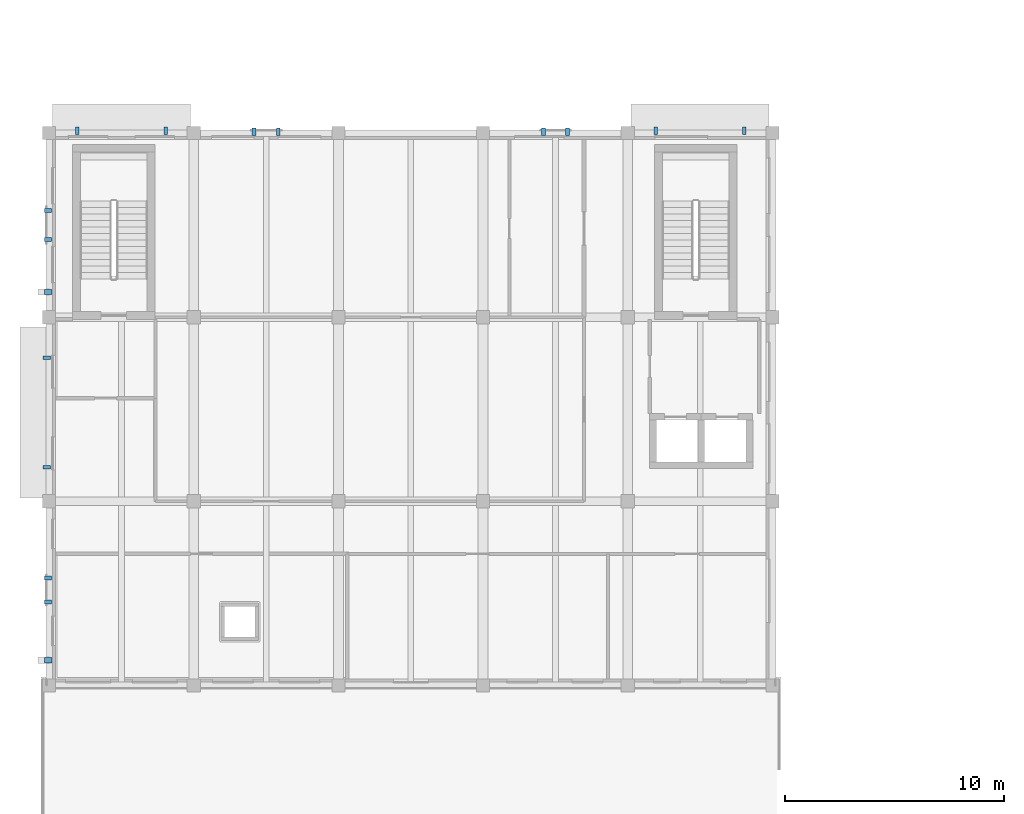
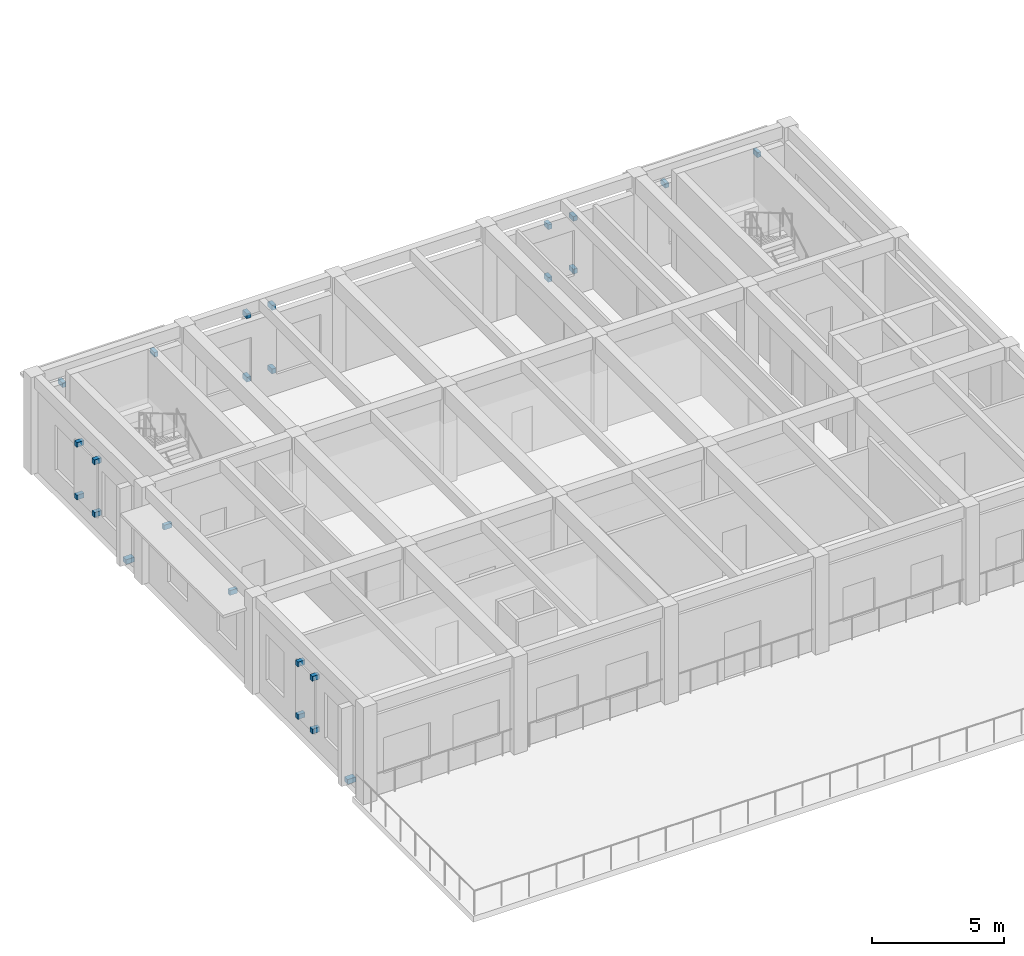
# One storey, part 16 of 25: 24 discrete accessories.
"""IFC4 building model written with IfcOpenShell, lengths in metres."""

from ifc_helpers import new_model, si_unit, direction, frame, origin, origin_2d, place, context, subcontext, project, spatial, rectangle, extrude, material, type_object, element, save


model = new_model("IFC4")

# Units and contexts
model_context = context("Model", 3, precision=1e-05, world=origin(), true_north=direction((0.0, 1.0)))
body_context = subcontext(model_context, "Body", "Model", "MODEL_VIEW")
ifc_project = project(units=[si_unit("LENGTHUNIT", "METRE"), si_unit("AREAUNIT", "SQUARE_METRE"), si_unit("VOLUMEUNIT", "CUBIC_METRE"), si_unit("PLANEANGLEUNIT", "RADIAN"), si_unit("MASSUNIT", "GRAM", prefix="KILO")], contexts=[model_context])

# Site, building, storey
site_placement = place(None, origin())
site = spatial("IfcSite", under=ifc_project, at=site_placement, CompositionType="ELEMENT")
building_placement = place(site_placement, origin())
building = spatial("IfcBuilding", under=site, at=building_placement, Name="Kolvaren Faculty of Natural Sciences", CompositionType="ELEMENT")
storey_placement = place(building_placement, frame((0.0, 0.0, 19.5)))
storey = spatial("IfcBuildingStorey", under=building, at=storey_placement, Name="L04", CompositionType="ELEMENT", Elevation=19.5)

# Discrete accessories
ifc_material = material(Name="Structural steel EN 10025-2 S355J2", Category="steel")
discrete_accessory_type = type_object("IfcDiscreteAccessoryType", Name="FacadeSupportBracket_260", PredefinedType="BRACKET", material=ifc_material)
discrete_accessory_1_placement = place(storey_placement, frame((6.760009765625, 18.14990234375, 0.10986328125), z_axis=(0.0, 0.0, 1.0), x_axis=(0.0, 1.0, 0.0)))
element("IfcDiscreteAccessory", 1, at=discrete_accessory_1_placement, inside=storey, type_object=discrete_accessory_type, Name="L04 facade relief pier anchor bracket 10", PredefinedType="BRACKET", context=body_context, shape_type="SweptSolid", body=[
    extrude(rectangle(XDim=0.239990234375, YDim=0.360107421875, at=origin_2d()), origin(), (0.0, 0.0, 1.0), 0.219970703125),
])
for number, where, z_axis, x_axis, name in (
    (2, (6.739990234375, 20.799072265625, 0.81982421875), (0.0, 0.0, 1.0), (0.0, 1.0, 0.0), "L04 jali screen wall bracket"),
    (3, (6.739990234375, 21.90087890625, 0.81982421875), (0.0, 0.0, 1.0), (0.0, 1.0, 0.0), "L04 jali screen wall bracket"),
    (4, (6.739990234375, 20.799072265625, 3.26025390625), (0.0, 0.0, 1.0), (0.0, 1.0, 0.0), "L04 jali screen wall bracket"),
    (5, (6.739990234375, 21.90087890625, 3.26025390625), (0.0, 0.0, 1.0), (0.0, 1.0, 0.0), "L04 jali screen wall bracket"),
):
    element("IfcDiscreteAccessory", number, at=place(storey_placement, frame(where, z_axis=z_axis, x_axis=x_axis)), inside=storey, type_object=discrete_accessory_type, Name=name, PredefinedType="BRACKET", context=body_context, shape_type="SweptSolid", body=[
        extrude(rectangle(XDim=0.179931640625, YDim=0.320068359375, at=origin_2d()), origin(), (0.0, 0.0, 1.0), 0.219970703125),
    ])
for number, where, z_axis, x_axis, name in (
    (6, (6.699951171875, 26.9541015625, 3.51513671875), (0.0, 0.0, 1.0), (0.0, 1.0, 0.0), "L04 chhajja hood steel bracket"),
    (7, (6.699951171875, 31.946044921875, 3.51513671875), (0.0, 0.0, 1.0), (0.0, 1.0, 0.0), "L04 chhajja hood steel bracket"),
):
    element("IfcDiscreteAccessory", number, at=place(storey_placement, frame(where, z_axis=z_axis, x_axis=x_axis)), inside=storey, type_object=discrete_accessory_type, Name=name, PredefinedType="BRACKET", context=body_context, shape_type="SweptSolid", body=[
        extrude(rectangle(XDim=0.159912109375, YDim=0.340087890625, at=origin_2d()), origin(), (0.0, 0.0, 1.0), 0.219970703125),
    ])
discrete_accessory_2_placement = place(storey_placement, frame((6.760009765625, 34.949951171875, 0.10986328125), z_axis=(0.0, 0.0, 1.0), x_axis=(0.0, 1.0, 0.0)))
element("IfcDiscreteAccessory", 8, at=discrete_accessory_2_placement, inside=storey, type_object=discrete_accessory_type, Name="L04 facade relief pier anchor bracket 11", PredefinedType="BRACKET", context=body_context, shape_type="SweptSolid", body=[
    extrude(rectangle(XDim=0.239990234375, YDim=0.360107421875, at=origin_2d()), origin(), (0.0, 0.0, 1.0), 0.219970703125),
])
for number, where, z_axis, x_axis, name in (
    (9, (6.739990234375, 37.3349609375, 0.81982421875), (0.0, 0.0, 1.0), (0.0, 1.0, 0.0), "L04 jali screen wall bracket"),
    (10, (6.739990234375, 38.6650390625, 0.81982421875), (0.0, 0.0, 1.0), (0.0, 1.0, 0.0), "L04 jali screen wall bracket"),
    (11, (6.739990234375, 37.3349609375, 3.26025390625), (0.0, 0.0, 1.0), (0.0, 1.0, 0.0), "L04 jali screen wall bracket"),
    (12, (6.739990234375, 38.6650390625, 3.26025390625), (0.0, 0.0, 1.0), (0.0, 1.0, 0.0), "L04 jali screen wall bracket"),
):
    element("IfcDiscreteAccessory", number, at=place(storey_placement, frame(where, z_axis=z_axis, x_axis=x_axis)), inside=storey, type_object=discrete_accessory_type, Name=name, PredefinedType="BRACKET", context=body_context, shape_type="SweptSolid", body=[
        extrude(rectangle(XDim=0.179931640625, YDim=0.320068359375, at=origin_2d()), origin(), (0.0, 0.0, 1.0), 0.219970703125),
    ])
for number, where, z_axis, x_axis, name in (
    (13, (8.083984375, 42.300048828125, 3.365234375), (0.0, 0.0, 1.0), (1.0, 0.0, 0.0), "L04 chhajja hood steel bracket"),
    (14, (12.115966796875, 42.300048828125, 3.365234375), (0.0, 0.0, 1.0), (1.0, 0.0, 0.0), "L04 chhajja hood steel bracket"),
):
    element("IfcDiscreteAccessory", number, at=place(storey_placement, frame(where, z_axis=z_axis, x_axis=x_axis)), inside=storey, type_object=discrete_accessory_type, Name=name, PredefinedType="BRACKET", context=body_context, shape_type="SweptSolid", body=[
        extrude(rectangle(XDim=0.159912109375, YDim=0.340087890625, at=origin_2d()), origin(), (0.0, 0.0, 1.0), 0.219970703125),
    ])
for number, where, z_axis, x_axis, name in (
    (15, (16.14892578125, 42.260009765625, 0.81982421875), (0.0, 0.0, 1.0), (1.0, 0.0, 0.0), "L04 jali screen wall bracket"),
    (16, (17.2509765625, 42.260009765625, 0.81982421875), (0.0, 0.0, 1.0), (1.0, 0.0, 0.0), "L04 jali screen wall bracket"),
    (17, (16.14892578125, 42.260009765625, 3.76025390625), (0.0, 0.0, 1.0), (1.0, 0.0, 0.0), "L04 jali screen wall bracket"),
    (18, (17.2509765625, 42.260009765625, 3.76025390625), (0.0, 0.0, 1.0), (1.0, 0.0, 0.0), "L04 jali screen wall bracket"),
    (19, (29.34912109375, 42.260009765625, 0.81982421875), (0.0, 0.0, 1.0), (1.0, 0.0, 0.0), "L04 jali screen wall bracket"),
    (20, (30.450927734375, 42.260009765625, 0.81982421875), (0.0, 0.0, 1.0), (1.0, 0.0, 0.0), "L04 jali screen wall bracket"),
    (21, (29.34912109375, 42.260009765625, 3.26025390625), (0.0, 0.0, 1.0), (1.0, 0.0, 0.0), "L04 jali screen wall bracket"),
    (22, (30.450927734375, 42.260009765625, 3.26025390625), (0.0, 0.0, 1.0), (1.0, 0.0, 0.0), "L04 jali screen wall bracket"),
):
    element("IfcDiscreteAccessory", number, at=place(storey_placement, frame(where, z_axis=z_axis, x_axis=x_axis)), inside=storey, type_object=discrete_accessory_type, Name=name, PredefinedType="BRACKET", context=body_context, shape_type="SweptSolid", body=[
        extrude(rectangle(XDim=0.179931640625, YDim=0.320068359375, at=origin_2d()), origin(), (0.0, 0.0, 1.0), 0.219970703125),
    ])
for number, where, z_axis, x_axis, name in (
    (23, (34.48388671875, 42.300048828125, 3.365234375), (0.0, 0.0, 1.0), (1.0, 0.0, 0.0), "L04 chhajja hood steel bracket"),
    (24, (38.51611328125, 42.300048828125, 3.365234375), (0.0, 0.0, 1.0), (1.0, 0.0, 0.0), "L04 chhajja hood steel bracket"),
):
    element("IfcDiscreteAccessory", number, at=place(storey_placement, frame(where, z_axis=z_axis, x_axis=x_axis)), inside=storey, type_object=discrete_accessory_type, Name=name, PredefinedType="BRACKET", context=body_context, shape_type="SweptSolid", body=[
        extrude(rectangle(XDim=0.159912109375, YDim=0.340087890625, at=origin_2d()), origin(), (0.0, 0.0, 1.0), 0.219970703125),
    ])

save(model, "model.ifc")
